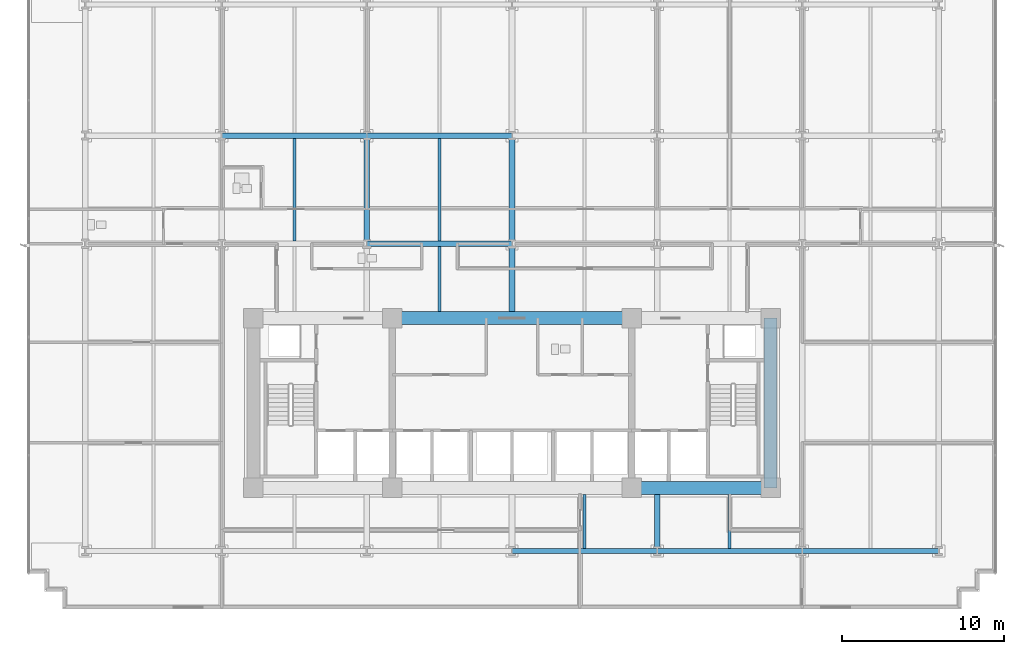
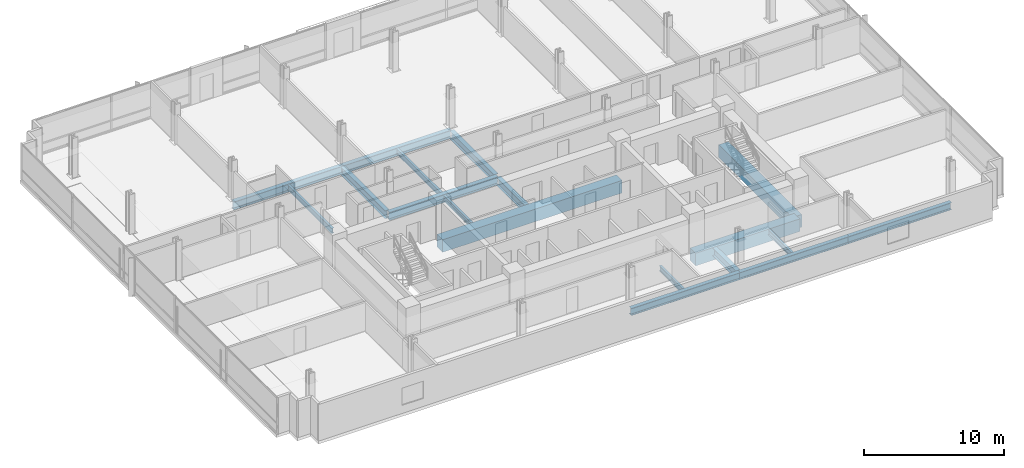
# One storey, part 5 of 21: 18 beams.
"""IFC4 building model written with IfcOpenShell, lengths in metres."""

from ifc_helpers import new_model, si_unit, direction, frame, origin, origin_2d, place, context, subcontext, project, spatial, rectangle, i_section, extrude, material, material_profile, profile_set, type_object, element, save


model = new_model("IFC4")

# Units and contexts
model_context = context("Model", 3, precision=1e-05, world=origin(), true_north=direction((0.0, 1.0)))
body_context = subcontext(model_context, "Body", "Model", "MODEL_VIEW")
ifc_project = project(units=[si_unit("LENGTHUNIT", "METRE"), si_unit("AREAUNIT", "SQUARE_METRE"), si_unit("VOLUMEUNIT", "CUBIC_METRE"), si_unit("PLANEANGLEUNIT", "RADIAN"), si_unit("MASSUNIT", "GRAM", prefix="KILO")], contexts=[model_context])

# Site, building, storey
site_placement = place(None, origin())
site = spatial("IfcSite", under=ifc_project, at=site_placement, CompositionType="ELEMENT")
building_placement = place(site_placement, origin())
building = spatial("IfcBuilding", under=site, at=building_placement, Name="Solmavex Isthmus Hotel", CompositionType="ELEMENT")
storey_placement = place(building_placement, frame((0.0, 0.0, 54.0)))
storey = spatial("IfcBuildingStorey", under=building, at=storey_placement, Name="L14", CompositionType="ELEMENT", Elevation=54.0)

# Beams
ifc_material_1 = material(Name="Steel ASTM A992 Grade 50", Category="steel")
ifc_material_profile_1 = material_profile(ifc_material_1, i_section(OverallWidth=0.354736328125, OverallDepth=0.695556640625, WebThickness=0.015380859375, FlangeThickness=0.02490234375, FilletRadius=0.017822265625, at=origin_2d()), Name="W27X146")
ifc_profile_set_1 = profile_set([ifc_material_profile_1], Name="Steel ASTM A992 Grade 50")
beam_type_1 = type_object("IfcBeamType", Name="BM-BG-W27X146", PredefinedType="BEAM", material=ifc_profile_set_1)
beam_1_placement = place(storey_placement, frame((-8.97607421875, 2.10009765625, -0.607666015625), z_axis=(1.0, 0.0, 0.0), x_axis=(0.0, 1.0, 0.0)))
element("IfcBeam", 1, at=beam_1_placement, inside=storey, type_object=beam_type_1, Name="Floor Girder L14-UG09", PredefinedType="BEAM", context=body_context, shape_type="SweptSolid", body=[
    extrude(i_section(OverallWidth=0.354736328125, OverallDepth=0.695556640625, WebThickness=0.015380859375, FlangeThickness=0.02490234375, FilletRadius=0.017822265625, at=origin_2d()), origin(), (0.0, 0.0, 1.0), 8.97607421875),
])
beam_2_placement = place(storey_placement, frame((-17.951904296875, 8.7880859375, -0.607666015625), z_axis=(1.0, 0.0, 0.0), x_axis=(0.0, 1.0, 0.0)))
element("IfcBeam", 2, at=beam_2_placement, inside=storey, type_object=beam_type_1, Name="Floor Girder L14-UG14", PredefinedType="BEAM", context=body_context, shape_type="SweptSolid", body=[
    extrude(i_section(OverallWidth=0.354736328125, OverallDepth=0.695556640625, WebThickness=0.015380859375, FlangeThickness=0.02490234375, FilletRadius=0.017822265625, at=origin_2d()), origin(), (0.0, 0.0, 1.0), 8.975830078125),
])
beam_3_placement = place(storey_placement, frame((-8.97607421875, 8.7880859375, -0.607666015625), z_axis=(1.0, 0.0, 0.0), x_axis=(0.0, 1.0, 0.0)))
element("IfcBeam", 3, at=beam_3_placement, inside=storey, type_object=beam_type_1, Name="Floor Girder L14-UG15", PredefinedType="BEAM", context=body_context, shape_type="SweptSolid", body=[
    extrude(i_section(OverallWidth=0.354736328125, OverallDepth=0.695556640625, WebThickness=0.015380859375, FlangeThickness=0.02490234375, FilletRadius=0.017822265625, at=origin_2d()), origin(), (0.0, 0.0, 1.0), 8.97607421875),
])
beam_4_placement = place(storey_placement, frame((-8.97607421875, 2.27734375, -0.607666015625), z_axis=(0.0, 1.0, 0.0), x_axis=(-1.0, 0.0, 0.0)))
element("IfcBeam", 4, at=beam_4_placement, inside=storey, type_object=beam_type_1, Name="Floor Beam L14-VG33", PredefinedType="BEAM", context=body_context, shape_type="SweptSolid", body=[
    extrude(i_section(OverallWidth=0.354736328125, OverallDepth=0.695556640625, WebThickness=0.015380859375, FlangeThickness=0.02490234375, FilletRadius=0.017822265625, at=origin_2d()), origin(), (0.0, 0.0, 1.0), 6.333251953125),
])
beam_5_placement = place(storey_placement, frame((0.0, -2.10009765625, -0.607666015625), z_axis=(0.0, 1.0, 0.0), x_axis=(-1.0, 0.0, 0.0)))
element("IfcBeam", 5, at=beam_5_placement, inside=storey, type_object=beam_type_1, Name="Floor Beam L14-VG36", PredefinedType="BEAM", context=body_context, shape_type="SweptSolid", body=[
    extrude(i_section(OverallWidth=0.354736328125, OverallDepth=0.695556640625, WebThickness=0.015380859375, FlangeThickness=0.02490234375, FilletRadius=0.017822265625, at=origin_2d()), origin(), (0.0, 0.0, 1.0), 4.022705078125),
])
beam_6_placement = place(storey_placement, frame((0.0, 2.27734375, -0.607666015625), z_axis=(0.0, 1.0, 0.0), x_axis=(-1.0, 0.0, 0.0)))
element("IfcBeam", 6, at=beam_6_placement, inside=storey, type_object=beam_type_1, Name="Floor Beam L14-VG37", PredefinedType="BEAM", context=body_context, shape_type="SweptSolid", body=[
    extrude(i_section(OverallWidth=0.354736328125, OverallDepth=0.695556640625, WebThickness=0.015380859375, FlangeThickness=0.02490234375, FilletRadius=0.017822265625, at=origin_2d()), origin(), (0.0, 0.0, 1.0), 6.333251953125),
])
beam_7_placement = place(storey_placement, frame((8.97607421875, -16.73681640625, -0.607666015625), z_axis=(0.0, 1.0, 0.0), x_axis=(-1.0, 0.0, 0.0)))
element("IfcBeam", 7, at=beam_7_placement, inside=storey, type_object=beam_type_1, Name="Floor Beam L14-VG39", PredefinedType="BEAM", context=body_context, shape_type="SweptSolid", body=[
    extrude(i_section(OverallWidth=0.354736328125, OverallDepth=0.695556640625, WebThickness=0.015380859375, FlangeThickness=0.02490234375, FilletRadius=0.017822265625, at=origin_2d()), origin(), (0.0, 0.0, 1.0), 3.3369140625),
])
ifc_material_profile_2 = material_profile(ifc_material_1, i_section(OverallWidth=0.1904296875, OverallDepth=0.456787109375, WebThickness=0.009033203125, FlangeThickness=0.014404296875, FilletRadius=0.0126953125, at=origin_2d()), Name="W18X50")
ifc_profile_set_2 = profile_set([ifc_material_profile_2], Name="Steel ASTM A992 Grade 50")
beam_type_2 = type_object("IfcBeamType", Name="BM-BJ-W18X50", PredefinedType="JOIST", material=ifc_profile_set_2)
beam_8_placement = place(storey_placement, frame((-13.464111328125, 2.27734375, -0.488525390625), z_axis=(0.0, 1.0, 0.0), x_axis=(-1.0, 0.0, 0.0)))
element("IfcBeam", 8, at=beam_8_placement, inside=storey, type_object=beam_type_2, Name="Secondary Floor Joist L14-J06", PredefinedType="JOIST", context=body_context, shape_type="SweptSolid", body=[
    extrude(i_section(OverallWidth=0.1904296875, OverallDepth=0.456787109375, WebThickness=0.009033203125, FlangeThickness=0.014404296875, FilletRadius=0.0126953125, at=origin_2d()), origin(), (0.0, 0.0, 1.0), 6.333251953125),
])
beam_9_placement = place(storey_placement, frame((-4.488037109375, -2.10009765625, -0.488525390625), z_axis=(0.0, 1.0, 0.0), x_axis=(-1.0, 0.0, 0.0)))
element("IfcBeam", 9, at=beam_9_placement, inside=storey, type_object=beam_type_2, Name="Secondary Floor Joist L14-J09", PredefinedType="JOIST", context=body_context, shape_type="SweptSolid", body=[
    extrude(i_section(OverallWidth=0.1904296875, OverallDepth=0.456787109375, WebThickness=0.009033203125, FlangeThickness=0.014404296875, FilletRadius=0.0126953125, at=origin_2d()), origin(), (0.0, 0.0, 1.0), 4.022705078125),
])
beam_10_placement = place(storey_placement, frame((-4.488037109375, 2.27734375, -0.488525390625), z_axis=(0.0, 1.0, 0.0), x_axis=(-1.0, 0.0, 0.0)))
element("IfcBeam", 10, at=beam_10_placement, inside=storey, type_object=beam_type_2, Name="Secondary Floor Joist L14-J10", PredefinedType="JOIST", context=body_context, shape_type="SweptSolid", body=[
    extrude(i_section(OverallWidth=0.1904296875, OverallDepth=0.456787109375, WebThickness=0.009033203125, FlangeThickness=0.014404296875, FilletRadius=0.0126953125, at=origin_2d()), origin(), (0.0, 0.0, 1.0), 6.333251953125),
])
for number, where, z_axis, x_axis, name in (
    (11, (4.488037109375, -16.73681640625, -0.488525390625), (0.0, 1.0, 0.0), (-1.0, 0.0, 0.0), "Secondary Floor Joist L14-J12"),
    (12, (13.464111328125, -16.73681640625, -0.488525390625), (0.0, 1.0, 0.0), (-1.0, 0.0, 0.0), "Secondary Floor Joist L14-J16"),
):
    element("IfcBeam", number, at=place(storey_placement, frame(where, z_axis=z_axis, x_axis=x_axis)), inside=storey, type_object=beam_type_2, Name=name, PredefinedType="JOIST", context=body_context, shape_type="SweptSolid", body=[
        extrude(i_section(OverallWidth=0.1904296875, OverallDepth=0.456787109375, WebThickness=0.009033203125, FlangeThickness=0.014404296875, FilletRadius=0.0126953125, at=origin_2d()), origin(), (0.0, 0.0, 1.0), 3.3369140625),
    ])
ifc_material_2 = material(Name="Concrete C70/85", Category="concrete")
ifc_material_profile_3 = material_profile(ifc_material_2, rectangle(XDim=0.800048828125, YDim=1.10009765625, at=origin_2d()), Name="RC800X1100")
ifc_profile_set_3 = profile_set([ifc_material_profile_3], Name="Concrete C70/85")
beam_type_3 = type_object("IfcBeamType", Name="BM-CB-800X1100", PredefinedType="BEAM", material=ifc_profile_set_3)
beam_11_placement = place(storey_placement, frame((7.39990234375, -13.0, -0.81005859375), z_axis=(1.0, 0.0, 0.0), x_axis=(0.0, 1.0, 0.0)))
element("IfcBeam", 13, at=beam_11_placement, inside=storey, type_object=beam_type_3, Name="Core Coupling Beam L14-CB3", PredefinedType="BEAM", context=body_context, shape_type="SweptSolid", body=[
    extrude(rectangle(XDim=0.800048828125, YDim=1.10009765625, at=origin_2d()), origin(), (0.0, 0.0, 1.0), 8.60009765625),
])
beam_12_placement = place(storey_placement, frame((-7.39990234375, -2.5, -0.81005859375), z_axis=(1.0, 0.0, 0.0), x_axis=(0.0, 1.0, 0.0)))
element("IfcBeam", 14, at=beam_12_placement, inside=storey, type_object=beam_type_3, Name="Core Coupling Beam L14-CB5", PredefinedType="BEAM", context=body_context, shape_type="SweptSolid", body=[
    extrude(rectangle(XDim=0.800048828125, YDim=1.10009765625, at=origin_2d()), origin(), (0.0, 0.0, 1.0), 14.7998046875),
])
beam_13_placement = place(storey_placement, frame((16.0, -13.0, -0.81005859375), z_axis=(0.0, 1.0, 0.0), x_axis=(-1.0, 0.0, 0.0)))
element("IfcBeam", 15, at=beam_13_placement, inside=storey, type_object=beam_type_3, Name="Core Coupling Beam L14-CB8", PredefinedType="BEAM", context=body_context, shape_type="SweptSolid", body=[
    extrude(rectangle(XDim=0.800048828125, YDim=1.10009765625, at=origin_2d()), origin(), (0.0, 0.0, 1.0), 10.5),
])
ifc_material_profile_4 = material_profile(ifc_material_1, i_section(OverallWidth=0.326416015625, OverallDepth=0.621826171875, WebThickness=0.015380859375, FlangeThickness=0.0244140625, FilletRadius=0.01513671875, at=origin_2d()), Name="W24X131")
ifc_profile_set_4 = profile_set([ifc_material_profile_4], Name="Steel ASTM A992 Grade 50")
beam_type_4 = type_object("IfcBeamType", Name="BM-SP-W24X131", PredefinedType="SPANDREL", material=ifc_profile_set_4)
beam_14_placement = place(storey_placement, frame((0.0, -16.89990234375, -0.57080078125), z_axis=(1.0, 0.0, 0.0), x_axis=(0.0, 1.0, 0.0)))
element("IfcBeam", 16, at=beam_14_placement, inside=storey, type_object=beam_type_4, Name="Floor Girder L14-UG04", PredefinedType="SPANDREL", context=body_context, shape_type="SweptSolid", body=[
    extrude(i_section(OverallWidth=0.326416015625, OverallDepth=0.621826171875, WebThickness=0.015380859375, FlangeThickness=0.0244140625, FilletRadius=0.01513671875, at=origin_2d()), origin(), (0.0, 0.0, 1.0), 8.97607421875),
])
beam_15_placement = place(storey_placement, frame((8.97607421875, -16.89990234375, -0.57080078125), z_axis=(1.0, 0.0, 0.0), x_axis=(0.0, 1.0, 0.0)))
element("IfcBeam", 17, at=beam_15_placement, inside=storey, type_object=beam_type_4, Name="Floor Girder L14-UG05", PredefinedType="SPANDREL", context=body_context, shape_type="SweptSolid", body=[
    extrude(i_section(OverallWidth=0.326416015625, OverallDepth=0.621826171875, WebThickness=0.015380859375, FlangeThickness=0.0244140625, FilletRadius=0.01513671875, at=origin_2d()), origin(), (0.0, 0.0, 1.0), 8.975830078125),
])
beam_16_placement = place(storey_placement, frame((17.951904296875, -16.89990234375, -0.57080078125), z_axis=(1.0, 0.0, 0.0), x_axis=(0.0, 1.0, 0.0)))
element("IfcBeam", 18, at=beam_16_placement, inside=storey, type_object=beam_type_4, Name="Floor Girder L14-UG06", PredefinedType="SPANDREL", context=body_context, shape_type="SweptSolid", body=[
    extrude(i_section(OverallWidth=0.326416015625, OverallDepth=0.621826171875, WebThickness=0.015380859375, FlangeThickness=0.0244140625, FilletRadius=0.01513671875, at=origin_2d()), origin(), (0.0, 0.0, 1.0), 8.447998046875),
])

save(model, "model.ifc")
